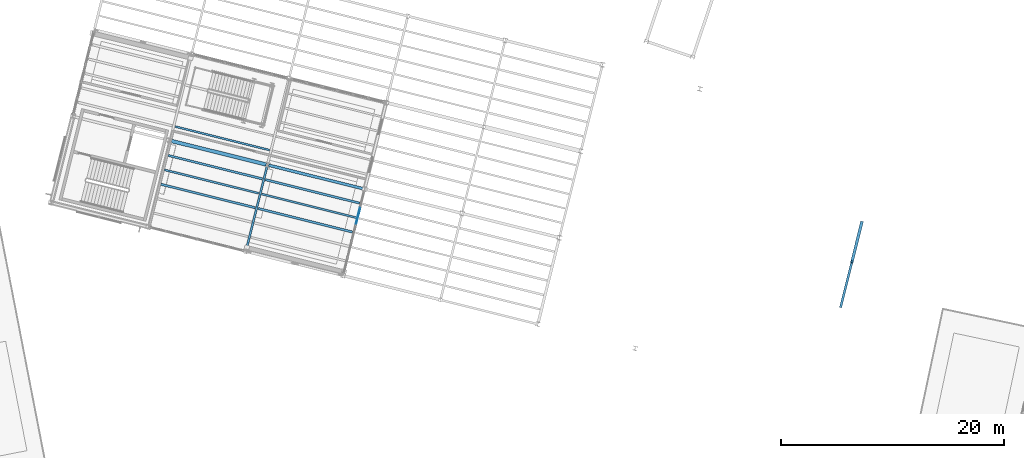
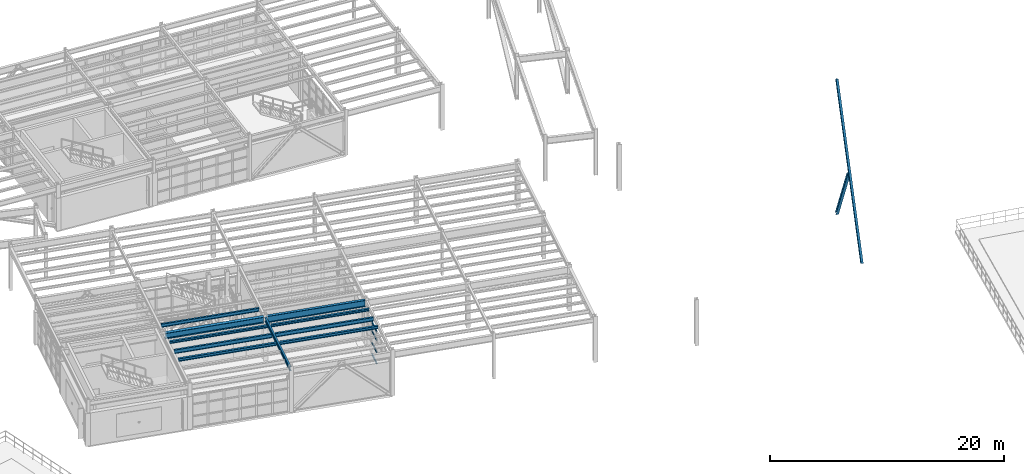
# One storey, part 33 of 109: 10 beams, 6 members, 1 element without a shape of its own.
"""IFC4 building model written with IfcOpenShell, lengths in metres."""

from ifc_helpers import new_model, si_unit, direction, frame, origin, origin_2d, place, context, subcontext, project, spatial, rectangle, i_section, extrude, material, layer, layer_set, material_profile, profile_set, type_object, element, aggregate, save


model = new_model("IFC4")

# Units and contexts
model_context = context("Model", 3, precision=1e-05, world=origin(), true_north=direction((0.0, 1.0)))
body_context = subcontext(model_context, "Body", "Model", "MODEL_VIEW")
ifc_project = project(units=[si_unit("LENGTHUNIT", "METRE"), si_unit("AREAUNIT", "SQUARE_METRE"), si_unit("VOLUMEUNIT", "CUBIC_METRE"), si_unit("PLANEANGLEUNIT", "RADIAN"), si_unit("MASSUNIT", "GRAM", prefix="KILO")], contexts=[model_context])

# Site, building, storey
site_placement = place(None, origin())
site = spatial("IfcSite", under=ifc_project, at=site_placement, CompositionType="ELEMENT")
building_placement = place(site_placement, origin())
building = spatial("IfcBuilding", under=site, at=building_placement, Name="Vireo Bluff Cable Station", CompositionType="ELEMENT")
storey_placement = place(building_placement, frame((0.0, 0.0, 4.800048828125)))
storey = spatial("IfcBuildingStorey", under=building, at=storey_placement, Name="L01", CompositionType="ELEMENT", Elevation=4.800048828125)

# Beam
ifc_material_1 = material(Name="Steel ASTM A992 Gr. 50", Category="steel")
ifc_material_profile_1 = material_profile(ifc_material_1, i_section(OverallWidth=0.180908203125, OverallDepth=0.4169921875, WebThickness=0.010986328125, FlangeThickness=0.018310546875, FilletRadius=0.010009765625, at=origin_2d()), Name="W16X57")
ifc_profile_set_1 = profile_set([ifc_material_profile_1], Name="Steel ASTM A992 Gr. 50")
beam_type_1 = type_object("IfcBeamType", Name="BM-W16X57", PredefinedType="BEAM", material=ifc_profile_set_1)
beam_1_placement = place(storey_placement, frame((71.494384765625, 33.761962890625, 4.33154296875), z_axis=(0.241913731831, 0.970297761696, 0.0), x_axis=(-0.970297761696, 0.241913731831, 0.0)))
element("IfcBeam", 1, at=beam_1_placement, inside=storey, type_object=beam_type_1, Name="V1 L01 beam 66", PredefinedType="BEAM", context=body_context, shape_type="SweptSolid", body=[
    extrude(i_section(OverallWidth=0.180908203125, OverallDepth=0.4169921875, WebThickness=0.010986328125, FlangeThickness=0.018310546875, FilletRadius=0.010009765625, at=origin_2d()), origin(), (0.0, 0.0, 1.0), 7.759765625),
])

# Members
ifc_material_profile_2 = material_profile(ifc_material_1, i_section(OverallWidth=0.2041015625, OverallDepth=0.257080078125, WebThickness=0.0087890625, FlangeThickness=0.015625, FilletRadius=0.009033203125, at=origin_2d()), Name="W10X45")
ifc_profile_set_2 = profile_set([ifc_material_profile_2], Name="Steel ASTM A992 Gr. 50")
member_type_1 = type_object("IfcMemberType", Name="BRC-01", PredefinedType="BRACE", material=ifc_profile_set_2)
member_1_placement = place(storey_placement, frame((124.85546875, 28.702392578125, -0.300048828125), z_axis=(0.117274938888, 0.470396201098, 0.874627922434), x_axis=(-0.970299602857, 0.241906346953, 0.0)))
element("IfcMember", 2, at=member_1_placement, inside=storey, type_object=member_type_1, Name="Launch pylon continuous cross brace 1", PredefinedType="BRACE", context=body_context, shape_type="SweptSolid", body=[
    extrude(i_section(OverallWidth=0.2041015625, OverallDepth=0.257080078125, WebThickness=0.0087890625, FlangeThickness=0.015625, FilletRadius=0.009033203125, at=origin_2d()), origin(), (0.0, 0.0, 1.0), 16.0068359375),
])
ifc_material_profile_3 = material_profile(ifc_material_1, i_section(OverallWidth=0.2548828125, OverallDepth=0.256103515625, WebThickness=0.009521484375, FlangeThickness=0.015625, FilletRadius=0.009033203125, at=origin_2d()), Name="W10X54")
ifc_profile_set_3 = profile_set([ifc_material_profile_3], Name="Steel ASTM A992 Gr. 50")
member_type_2 = type_object("IfcMemberType", Name="BRC-02", PredefinedType="BRACE", material=ifc_profile_set_3)
member_2_placement = place(storey_placement, frame((126.732666015625, 36.23193359375, -0.300048828125), z_axis=(-0.1172780077, -0.470410071835, 0.87462005078), x_axis=(0.970299791345, -0.241905590916, 0.0)))
element("IfcMember", 3, at=member_2_placement, inside=storey, type_object=member_type_2, Name="Launch pylon split cross brace 2A", PredefinedType="BRACE", context=body_context, shape_type="SweptSolid", body=[
    extrude(i_section(OverallWidth=0.2548828125, OverallDepth=0.256103515625, WebThickness=0.009521484375, FlangeThickness=0.015625, FilletRadius=0.009033203125, at=origin_2d()), origin(), (0.0, 0.0, 1.0), 7.5234375),
])

# Curtain wall, members
ifc_material_2 = material(Name="Anodized Aluminium 6063-T6", Category="aluminium")
ifc_layer = layer(ifc_material_2, 0.179931640625, Name="Anodized Aluminium 6063-T6")
ifc_layer_set = layer_set([ifc_layer], Name="Anodized Aluminium 6063-T6")
curtain_wall_type = type_object("IfcCurtainWallType", Name="CW-UNIT-1650", PredefinedType="USERDEFINED", material=ifc_layer_set)
curtain_wall_placement = place(storey_placement, origin())
curtain_wall = element("IfcCurtainWall", 4, at=curtain_wall_placement, inside=storey, type_object=curtain_wall_type, Name="V1 L01 east curtain wall CW-008", ObjectType="UNITISED CURTAIN WALL", PredefinedType="USERDEFINED")
ifc_material_profile_4 = material_profile(ifc_material_2, rectangle(XDim=0.06494140625, YDim=0.139892578125, at=origin_2d()), Name="ALU-T-65X140")
ifc_profile_set_4 = profile_set([ifc_material_profile_4], Name="Anodized Aluminium 6063-T6")
member_type_3 = type_object("IfcMemberType", Name="CWT-01", PredefinedType="USERDEFINED", material=ifc_profile_set_4)
member_3_placement = place(storey_placement, frame((81.711669921875, 37.539306640625, 0.032470703125), z_axis=(-0.241828230681, -0.970319074761, 0.0), x_axis=(0.970319074761, -0.241828230681, 0.0)))
member_3 = element("IfcMember", 5, at=member_3_placement, type_object=member_type_3, Name="CW-008 transom 2.1", ObjectType="TRANSOM", PredefinedType="USERDEFINED", context=body_context, shape_type="SweptSolid", body=[
    extrude(rectangle(XDim=0.06494140625, YDim=0.139892578125, at=origin_2d()), origin(), (0.0, 0.0, 1.0), 1.4619140625),
])
member_4_placement = place(storey_placement, frame((81.711669921875, 37.539306640625, 1.18994140625), z_axis=(-0.241828230681, -0.970319074761, 0.0), x_axis=(0.970319074761, -0.241828230681, 0.0)))
member_4 = element("IfcMember", 6, at=member_4_placement, type_object=member_type_3, Name="CW-008 transom 2.2", ObjectType="TRANSOM", PredefinedType="USERDEFINED", context=body_context, shape_type="SweptSolid", body=[
    extrude(rectangle(XDim=0.06494140625, YDim=0.139892578125, at=origin_2d()), origin(), (0.0, 0.0, 1.0), 1.4619140625),
])
member_5_placement = place(storey_placement, frame((81.711669921875, 37.539306640625, 2.447998046875), z_axis=(-0.241828230681, -0.970319074761, 0.0), x_axis=(0.970319074761, -0.241828230681, 0.0)))
member_5 = element("IfcMember", 7, at=member_5_placement, type_object=member_type_3, Name="CW-008 transom 2.3", ObjectType="TRANSOM", PredefinedType="USERDEFINED", context=body_context, shape_type="SweptSolid", body=[
    extrude(rectangle(XDim=0.06494140625, YDim=0.139892578125, at=origin_2d()), origin(), (0.0, 0.0, 1.0), 1.4619140625),
])
member_6_placement = place(storey_placement, frame((81.711669921875, 37.539306640625, 3.367431640625), z_axis=(-0.241828230681, -0.970319074761, 0.0), x_axis=(0.970319074761, -0.241828230681, 0.0)))
member_6 = element("IfcMember", 8, at=member_6_placement, type_object=member_type_3, Name="CW-008 transom 2.4", ObjectType="TRANSOM", PredefinedType="USERDEFINED", context=body_context, shape_type="SweptSolid", body=[
    extrude(rectangle(XDim=0.06494140625, YDim=0.139892578125, at=origin_2d()), origin(), (0.0, 0.0, 1.0), 1.4619140625),
])
aggregate(curtain_wall, [member_3, member_4, member_5, member_6])

# Beams
ifc_material_profile_5 = material_profile(ifc_material_1, i_section(OverallWidth=0.324951171875, OverallDepth=0.612060546875, WebThickness=0.0126953125, FlangeThickness=0.01904296875, FilletRadius=0.012939453125, at=origin_2d()), Name="W24X104")
ifc_profile_set_5 = profile_set([ifc_material_profile_5], Name="Steel ASTM A992 Gr. 50")
beam_type_2 = type_object("IfcBeamType", Name="GIR-W24X104", PredefinedType="USERDEFINED", material=ifc_profile_set_5)
beam_2_placement = place(storey_placement, frame((64.784423828125, 43.55615234375, 4.23388671875), z_axis=(0.970291502693, -0.241938834838, 0.0), x_axis=(0.241938834838, 0.970291502693, 0.0)))
element("IfcBeam", 9, at=beam_2_placement, inside=storey, type_object=beam_type_2, Name="V1 L01 girder 46", ObjectType="GIRDER", PredefinedType="USERDEFINED", context=body_context, shape_type="SweptSolid", body=[
    extrude(i_section(OverallWidth=0.324951171875, OverallDepth=0.612060546875, WebThickness=0.0126953125, FlangeThickness=0.01904296875, FilletRadius=0.012939453125, at=origin_2d()), origin(), (0.0, 0.0, 1.0), 8.760009765625),
])
ifc_material_profile_6 = material_profile(ifc_material_1, i_section(OverallWidth=0.2529296875, OverallDepth=0.677978515625, WebThickness=0.01171875, FlangeThickness=0.016357421875, FilletRadius=0.014892578125, at=origin_2d()), Name="W27X84")
ifc_profile_set_6 = profile_set([ifc_material_profile_6], Name="Steel ASTM A992 Gr. 50")
beam_type_3 = type_object("IfcBeamType", Name="GIR-W27X84", PredefinedType="USERDEFINED", material=ifc_profile_set_6)
beam_3_placement = place(storey_placement, frame((73.51708984375, 41.378662109375, 4.200927734375), z_axis=(0.970298044881, -0.241912595995, 0.0), x_axis=(0.241912595995, 0.970298044881, 0.0)))
element("IfcBeam", 10, at=beam_3_placement, inside=storey, type_object=beam_type_3, Name="V1 L01 girder 47", ObjectType="GIRDER", PredefinedType="USERDEFINED", context=body_context, shape_type="SweptSolid", body=[
    extrude(i_section(OverallWidth=0.2529296875, OverallDepth=0.677978515625, WebThickness=0.01171875, FlangeThickness=0.016357421875, FilletRadius=0.014892578125, at=origin_2d()), origin(), (0.0, 0.0, 1.0), 8.760009765625),
])
ifc_material_profile_7 = material_profile(ifc_material_1, i_section(OverallWidth=0.201904296875, OverallDepth=0.2470703125, WebThickness=0.00732421875, FlangeThickness=0.010986328125, FilletRadius=0.009033203125, at=origin_2d()), Name="W10X33")
ifc_profile_set_7 = profile_set([ifc_material_profile_7], Name="Steel ASTM A992 Gr. 50")
beam_type_4 = type_object("IfcBeamType", Name="JST-W10X33", PredefinedType="JOIST", material=ifc_profile_set_7)
for number, where, z_axis, x_axis, name in (
    (11, (64.481201171875, 42.257568359375, 4.41650390625), (0.970295467306, -0.24192293427, 0.0), (0.24192293427, 0.970295467306, 0.0), "V1 L01 composite joist 92"),
    (12, (73.2138671875, 40.080078125, 4.41650390625), (0.97030203894, -0.241896575481, 0.0), (0.241896575481, 0.97030203894, 0.0), "V1 L01 composite joist 104"),
):
    element("IfcBeam", number, at=place(storey_placement, frame(where, z_axis=z_axis, x_axis=x_axis)), inside=storey, type_object=beam_type_4, Name=name, PredefinedType="JOIST", context=body_context, shape_type="SweptSolid", body=[
        extrude(i_section(OverallWidth=0.201904296875, OverallDepth=0.2470703125, WebThickness=0.00732421875, FlangeThickness=0.010986328125, FilletRadius=0.009033203125, at=origin_2d()), origin(), (0.0, 0.0, 1.0), 8.72021484375),
    ])
ifc_material_profile_8 = material_profile(ifc_material_1, i_section(OverallWidth=0.202880859375, OverallDepth=0.302978515625, WebThickness=0.007568359375, FlangeThickness=0.01318359375, FilletRadius=0.010009765625, at=origin_2d()), Name="W12X40")
ifc_profile_set_8 = profile_set([ifc_material_profile_8], Name="Steel ASTM A992 Gr. 50")
beam_type_5 = type_object("IfcBeamType", Name="JST-W12X40", PredefinedType="JOIST", material=ifc_profile_set_8)
for number, where, z_axis, x_axis, name in (
    (13, (63.836181640625, 39.669921875, 4.388427734375), (0.970300400641, -0.241903146974, 0.0), (0.241903146974, 0.970300400641, 0.0), "V1 L01 composite joist 90"),
    (14, (72.56884765625, 37.49267578125, 4.388427734375), (0.970293828661, -0.24192950639, 0.0), (0.24192950639, 0.970293828661, 0.0), "V1 L01 composite joist 102"),
):
    element("IfcBeam", number, at=place(storey_placement, frame(where, z_axis=z_axis, x_axis=x_axis)), inside=storey, type_object=beam_type_5, Name=name, PredefinedType="JOIST", context=body_context, shape_type="SweptSolid", body=[
        extrude(i_section(OverallWidth=0.202880859375, OverallDepth=0.302978515625, WebThickness=0.007568359375, FlangeThickness=0.01318359375, FilletRadius=0.010009765625, at=origin_2d()), origin(), (0.0, 0.0, 1.0), 8.719970703125),
    ])
ifc_material_profile_9 = material_profile(ifc_material_1, i_section(OverallWidth=0.1708984375, OverallDepth=0.35107421875, WebThickness=0.0068359375, FlangeThickness=0.009765625, FilletRadius=0.010009765625, at=origin_2d()), Name="W14X30")
ifc_profile_set_9 = profile_set([ifc_material_profile_9], Name="Steel ASTM A992 Gr. 50")
beam_type_6 = type_object("IfcBeamType", Name="JST-W14X30", PredefinedType="JOIST", material=ifc_profile_set_9)
beam_4_placement = place(storey_placement, frame((65.12646484375, 44.844970703125, 4.364501953125), z_axis=(0.970293828661, -0.24192950639, 0.0), x_axis=(0.24192950639, 0.970293828661, 0.0)))
element("IfcBeam", 15, at=beam_4_placement, inside=storey, type_object=beam_type_6, Name="V1 L01 composite joist 93", PredefinedType="JOIST", context=body_context, shape_type="SweptSolid", body=[
    extrude(i_section(OverallWidth=0.1708984375, OverallDepth=0.35107421875, WebThickness=0.0068359375, FlangeThickness=0.009765625, FilletRadius=0.010009765625, at=origin_2d()), origin(), (0.0, 0.0, 1.0), 8.719970703125),
])
ifc_material_profile_10 = material_profile(ifc_material_1, i_section(OverallWidth=0.177978515625, OverallDepth=0.404052734375, WebThickness=0.007568359375, FlangeThickness=0.010986328125, FilletRadius=0.010009765625, at=origin_2d()), Name="W16X36")
ifc_profile_set_10 = profile_set([ifc_material_profile_10], Name="Steel ASTM A992 Gr. 50")
beam_type_7 = type_object("IfcBeamType", Name="JST-W16X36", PredefinedType="JOIST", material=ifc_profile_set_10)
for number, where, z_axis, x_axis, name in (
    (16, (64.15869140625, 40.963623046875, 4.337890625), (0.970300400641, -0.241903146974, 0.0), (0.241903146974, 0.970300400641, 0.0), "V1 L01 composite joist 91"),
    (17, (72.891357421875, 38.786376953125, 4.337890625), (0.970300400641, -0.241903146974, 0.0), (0.241903146974, 0.970300400641, 0.0), "V1 L01 composite joist 103"),
):
    element("IfcBeam", number, at=place(storey_placement, frame(where, z_axis=z_axis, x_axis=x_axis)), inside=storey, type_object=beam_type_7, Name=name, PredefinedType="JOIST", context=body_context, shape_type="SweptSolid", body=[
        extrude(i_section(OverallWidth=0.177978515625, OverallDepth=0.404052734375, WebThickness=0.007568359375, FlangeThickness=0.010986328125, FilletRadius=0.010009765625, at=origin_2d()), origin(), (0.0, 0.0, 1.0), 8.719970703125),
    ])

save(model, "model.ifc")
